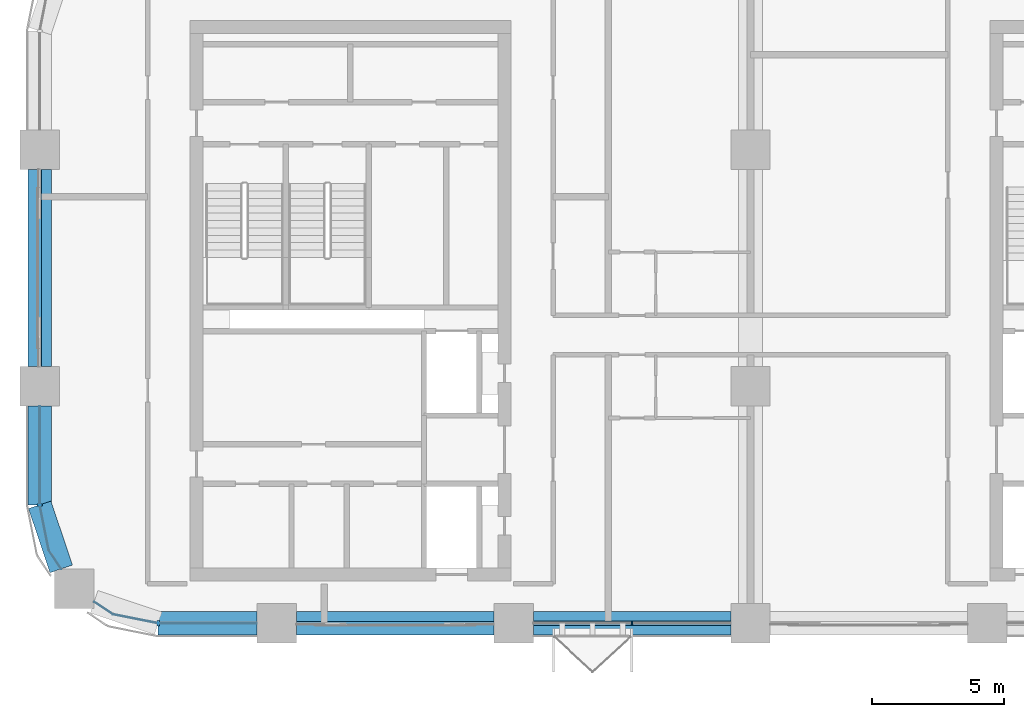
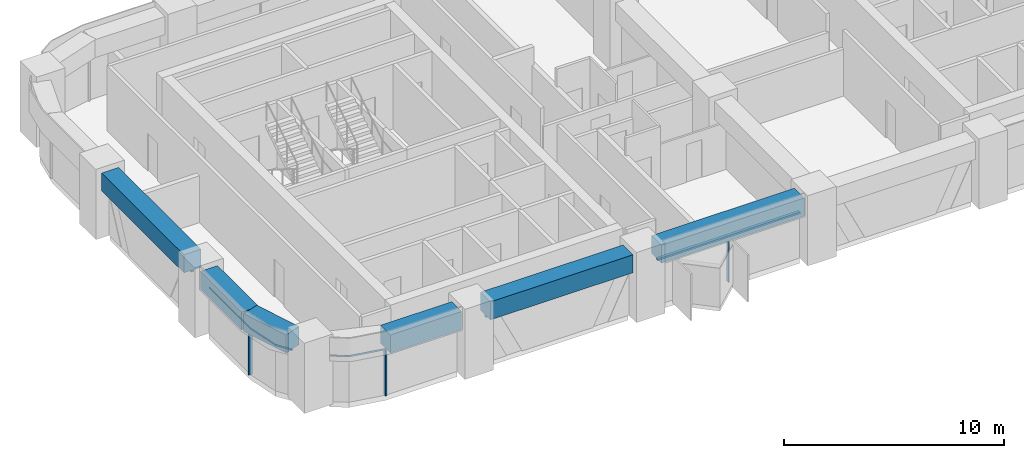
# One storey, part 2 of 13: 8 members, 6 beams, 5 elements without a shape of their own.
"""IFC4 building model written with IfcOpenShell, lengths in metres."""

from ifc_helpers import new_model, si_unit, direction, frame, origin, origin_2d, place, context, subcontext, project, spatial, polyline, rectangle, outline, extrude, material, material_profile, profile_set, type_object, element, aggregate, save


model = new_model("IFC4")

# Units and contexts
model_context = context("Model", 3, precision=1e-05, world=origin(), true_north=direction((0.0, 1.0)))
body_context = subcontext(model_context, "Body", "Model", "MODEL_VIEW")
ifc_project = project(units=[si_unit("LENGTHUNIT", "METRE"), si_unit("AREAUNIT", "SQUARE_METRE"), si_unit("VOLUMEUNIT", "CUBIC_METRE"), si_unit("PLANEANGLEUNIT", "RADIAN"), si_unit("MASSUNIT", "GRAM", prefix="KILO")], contexts=[model_context])

# Site, building, storey
site_placement = place(None, origin())
site = spatial("IfcSite", under=ifc_project, at=site_placement, CompositionType="ELEMENT")
building_placement = place(site_placement, origin())
building = spatial("IfcBuilding", under=site, at=building_placement, Name="Tessera Arch", CompositionType="ELEMENT")
storey_placement = place(building_placement, frame((0.0, 0.0, 162.199951171875)))
storey = spatial("IfcBuildingStorey", under=building, at=storey_placement, Name="L38", CompositionType="ELEMENT", Elevation=162.199951171875)

# Curtain wall, members
ifc_material_1 = material(Name="CW1 curtain wall")
curtain_wall_type_1 = type_object("IfcCurtainWallType", Name="CW1 curtain wall", PredefinedType="NOTDEFINED", material=ifc_material_1)
curtain_wall_1_placement = place(storey_placement, origin())
curtain_wall_1 = element("IfcCurtainWall", 1, at=curtain_wall_1_placement, inside=storey, type_object=curtain_wall_type_1, Name="CW1 curtain wall S27.0/2 L38", PredefinedType="NOTDEFINED")
ifc_material_2 = material(Name="Anodised aluminium pale metal", Category="aluminium")
ifc_material_profile_1 = material_profile(ifc_material_2, rectangle(XDim=0.159912109375, YDim=0.06005859375, at=origin_2d()), Name="AL 60x160")
ifc_profile_set_1 = profile_set([ifc_material_profile_1], Name="Anodised aluminium pale metal")
member_type_1 = type_object("IfcMemberType", Name="CW1 mullion", PredefinedType="MULLION", material=ifc_profile_set_1)
member_1_placement = place(storey_placement, frame((22.5, 27.0, 0.0), z_axis=(0.0, 0.0, 1.0), x_axis=(0.0, 1.0, 0.0)))
member_1 = element("IfcMember", 2, at=member_1_placement, type_object=member_type_1, Name="CW1 mullion S27.0/2 1", PredefinedType="MULLION", context=body_context, shape_type="SweptSolid", body=[
    extrude(rectangle(XDim=0.159912109375, YDim=0.06005859375, at=origin_2d()), origin(), (0.0, 0.0, 1.0), 2.5),
])
ifc_material_3 = material(Name="Anodised aluminium pale metal", Category="aluminium")
ifc_material_profile_2 = material_profile(ifc_material_3, rectangle(XDim=0.159912109375, YDim=0.10009765625, at=origin_2d()), Name="AL 160x100")
ifc_profile_set_2 = profile_set([ifc_material_profile_2], Name="Anodised aluminium pale metal")
member_type_2 = type_object("IfcMemberType", Name="CW1 transom", PredefinedType="USERDEFINED", material=ifc_profile_set_2)
member_2_placement = place(storey_placement, frame((18.75, 27.0, 2.550048828125), z_axis=(1.0, 0.0, 0.0), x_axis=(0.0, 1.0, 0.0)))
member_2 = element("IfcMember", 3, at=member_2_placement, type_object=member_type_2, Name="CW1 transom S27.0/2 1.1", ObjectType="TRANSOM", PredefinedType="USERDEFINED", context=body_context, shape_type="SweptSolid", body=[
    extrude(rectangle(XDim=0.159912109375, YDim=0.10009765625, at=origin_2d()), origin(), (0.0, 0.0, 1.0), 7.5),
])
aggregate(curtain_wall_1, [member_1, member_2])

# Curtain wall, member
ifc_material_4 = material(Name="CW2 curtain wall")
curtain_wall_type_2 = type_object("IfcCurtainWallType", Name="CW2 curtain wall", PredefinedType="NOTDEFINED", material=ifc_material_4)
curtain_wall_2_placement = place(storey_placement, origin())
curtain_wall_2 = element("IfcCurtainWall", 4, at=curtain_wall_2_placement, inside=storey, type_object=curtain_wall_type_2, Name="CW2 curtain wall W0.27/2 L38", PredefinedType="NOTDEFINED")
ifc_material_5 = material(Name="Anodised aluminium pale metal", Category="aluminium")
ifc_material_profile_3 = material_profile(ifc_material_5, rectangle(XDim=0.199951171875, YDim=0.080078125, at=origin_2d()), Name="AL 80x200")
ifc_profile_set_3 = profile_set([ifc_material_profile_3], Name="Anodised aluminium pale metal")
member_type_3 = type_object("IfcMemberType", Name="CW2 mullion", PredefinedType="MULLION", material=ifc_profile_set_3)
member_3_placement = place(storey_placement, frame((0.0, 31.5, 0.0), z_axis=(0.0, 0.0, 1.0), x_axis=(1.0, 0.0, 0.0)))
member_3 = element("IfcMember", 5, at=member_3_placement, type_object=member_type_3, Name="CW2 mullion W0.27/2 1", PredefinedType="MULLION", context=body_context, shape_type="SweptSolid", body=[
    extrude(rectangle(XDim=0.199951171875, YDim=0.080078125, at=origin_2d()), origin(), (0.0, 0.0, 1.0), 2.5),
])

curtain_wall_3_placement = place(storey_placement, origin())
curtain_wall_3 = element("IfcCurtainWall", 6, at=curtain_wall_3_placement, inside=storey, type_object=curtain_wall_type_2, Name="CW2 curtain wall S27.0/0 L38", PredefinedType="NOTDEFINED")
member_4_placement = place(storey_placement, frame((4.5, 27.0, 0.0), z_axis=(0.0, 0.0, 1.0), x_axis=(0.0, 1.0, 0.0)))
member_4 = element("IfcMember", 7, at=member_4_placement, type_object=member_type_3, Name="CW2 mullion S27.0/0 1", PredefinedType="MULLION", context=body_context, shape_type="SweptSolid", body=[
    extrude(rectangle(XDim=0.199951171875, YDim=0.080078125, at=origin_2d()), origin(), (0.0, 0.0, 1.0), 2.5),
])

# Member
ifc_material_6 = material(Name="Anodised aluminium pale metal", Category="aluminium")
ifc_material_profile_4 = material_profile(ifc_material_6, rectangle(XDim=0.199951171875, YDim=0.10009765625, at=origin_2d()), Name="AL 200x100")
ifc_profile_set_4 = profile_set([ifc_material_profile_4], Name="Anodised aluminium pale metal")
member_type_4 = type_object("IfcMemberType", Name="CW2 transom", PredefinedType="USERDEFINED", material=ifc_profile_set_4)
member_5_placement = place(storey_placement, frame((0.0, 0.0, 2.5)))
member_5 = element("IfcMember", 8, at=member_5_placement, type_object=member_type_4, Name="CW2 transom W0.27/2 1", ObjectType="TRANSOM", PredefinedType="USERDEFINED", context=body_context, shape_type="SweptSolid", body=[
    extrude(outline(polyline([(0.010009765625, 31.5009765625), (0.010009765625, 35.25), (-0.010009765625, 35.25), (-0.010009765625, 31.4990234375), (0.3330078125, 29.77392578125), (0.80859375, 29.0625), (0.8251953125, 29.073486328125), (0.351806640625, 29.78173828125), (0.010009765625, 31.5009765625)])), origin(), (0.0, 0.0, 1.0), 0.10009765625),
])

aggregate(curtain_wall_2, [member_3, member_5])

member_6_placement = place(storey_placement, frame((0.0, 0.0, 2.5)))
member_6 = element("IfcMember", 9, at=member_6_placement, type_object=member_type_4, Name="CW2 transom S27.0/0 1", ObjectType="TRANSOM", PredefinedType="USERDEFINED", context=body_context, shape_type="SweptSolid", body=[
    extrude(outline(polyline([(2.78173828125, 27.351806640625), (2.073486328125, 27.8251953125), (2.0625, 27.80859375), (2.77392578125, 27.3330078125), (4.4990234375, 26.989990234375), (8.25, 26.989990234375), (8.25, 27.010009765625), (4.5009765625, 27.010009765625), (2.78173828125, 27.351806640625)])), origin(), (0.0, 0.0, 1.0), 0.10009765625),
])

aggregate(curtain_wall_3, [member_4, member_6])

# Curtain wall, member
ifc_material_7 = material(Name="CW3 curtain wall")
curtain_wall_type_3 = type_object("IfcCurtainWallType", Name="CW3 curtain wall", PredefinedType="NOTDEFINED", material=ifc_material_7)
curtain_wall_4_placement = place(storey_placement, origin())
curtain_wall_4 = element("IfcCurtainWall", 10, at=curtain_wall_4_placement, inside=storey, type_object=curtain_wall_type_3, Name="CW3 curtain wall W0.27/1 L38", PredefinedType="NOTDEFINED")
ifc_material_8 = material(Name="Anodised aluminium pale metal", Category="aluminium")
ifc_material_profile_5 = material_profile(ifc_material_8, rectangle(XDim=0.139892578125, YDim=0.10009765625, at=origin_2d()), Name="AL 140x100")
ifc_profile_set_5 = profile_set([ifc_material_profile_5], Name="Anodised aluminium pale metal")
member_type_5 = type_object("IfcMemberType", Name="CW3 transom", PredefinedType="USERDEFINED", material=ifc_profile_set_5)
member_7_placement = place(storey_placement, frame((0.0, 44.25, 2.550048828125), z_axis=(0.0, -1.0, 0.0), x_axis=(1.0, 0.0, 0.0)))
member_7 = element("IfcMember", 11, at=member_7_placement, type_object=member_type_5, Name="CW3 transom W0.27/1 1.1", ObjectType="TRANSOM", PredefinedType="USERDEFINED", context=body_context, shape_type="SweptSolid", body=[
    extrude(rectangle(XDim=0.139892578125, YDim=0.10009765625, at=origin_2d()), origin(), (0.0, 0.0, 1.0), 7.5),
])
aggregate(curtain_wall_4, [member_7])

curtain_wall_5_placement = place(storey_placement, origin())
curtain_wall_5 = element("IfcCurtainWall", 12, at=curtain_wall_5_placement, inside=storey, type_object=curtain_wall_type_3, Name="CW3 curtain wall S27.0/1 L38", PredefinedType="NOTDEFINED")
member_8_placement = place(storey_placement, frame((9.75, 27.0, 2.550048828125), z_axis=(1.0, 0.0, 0.0), x_axis=(0.0, 1.0, 0.0)))
member_8 = element("IfcMember", 13, at=member_8_placement, type_object=member_type_5, Name="CW3 transom S27.0/1 1.1", ObjectType="TRANSOM", PredefinedType="USERDEFINED", context=body_context, shape_type="SweptSolid", body=[
    extrude(rectangle(XDim=0.139892578125, YDim=0.10009765625, at=origin_2d()), origin(), (0.0, 0.0, 1.0), 7.5),
])
aggregate(curtain_wall_5, [member_8])

# Beams
ifc_material_9 = material(Name="Concrete C70/85", Category="concrete")
ifc_material_profile_6 = material_profile(ifc_material_9, rectangle(XDim=0.89990234375, YDim=1.0, at=origin_2d()), Name="RC spandrel beam 900 x 1000 Concrete C70/85")
ifc_profile_set_6 = profile_set([ifc_material_profile_6], Name="Concrete C70/85")
beam_type = type_object("IfcBeamType", Name="RC spandrel beam 900 x 1000 Concrete C70/85", PredefinedType="BEAM", material=ifc_profile_set_6)
beam_1_placement = place(storey_placement, frame((0.0, 44.25, 3.10009765625), z_axis=(0.0, -1.0, 0.0), x_axis=(1.0, 0.0, 0.0)))
element("IfcBeam", 14, at=beam_1_placement, inside=storey, type_object=beam_type, Name="Spandrel beam L38 W0.27/1", PredefinedType="BEAM", context=body_context, shape_type="SweptSolid", body=[
    extrude(rectangle(XDim=0.89990234375, YDim=1.0, at=origin_2d()), origin(), (0.0, 0.0, 1.0), 7.5),
])
beam_2_placement = place(storey_placement, frame((0.0, 35.25, 3.10009765625), z_axis=(0.0, -1.0, 0.0), x_axis=(1.0, 0.0, 0.0)))
element("IfcBeam", 15, at=beam_2_placement, inside=storey, type_object=beam_type, Name="Spandrel beam L38 W0.27/2.1", PredefinedType="BEAM", context=body_context, shape_type="SweptSolid", body=[
    extrude(rectangle(XDim=0.89990234375, YDim=1.0, at=origin_2d()), origin(), (0.0, 0.0, 1.0), 3.75),
])
beam_3_placement = place(storey_placement, frame((0.0, 31.5, 3.10009765625), z_axis=(0.31842525032, -0.947947973234, 0.0), x_axis=(0.947947973234, 0.31842525032, 0.0)))
element("IfcBeam", 16, at=beam_3_placement, inside=storey, type_object=beam_type, Name="Spandrel beam L38 W0.27/2.2", PredefinedType="BEAM", context=body_context, shape_type="SweptSolid", body=[
    extrude(rectangle(XDim=0.89990234375, YDim=1.0, at=origin_2d()), origin(), (0.0, 0.0, 1.0), 2.5654296875),
])
beam_4_placement = place(storey_placement, frame((4.5, 27.0, 3.10009765625), z_axis=(1.0, 0.0, 0.0), x_axis=(0.0, 1.0, 0.0)))
element("IfcBeam", 17, at=beam_4_placement, inside=storey, type_object=beam_type, Name="Spandrel beam L38 S27.0/0.2", PredefinedType="BEAM", context=body_context, shape_type="SweptSolid", body=[
    extrude(rectangle(XDim=0.89990234375, YDim=1.0, at=origin_2d()), origin(), (0.0, 0.0, 1.0), 3.75),
])
for number, where, z_axis, x_axis, name in (
    (18, (9.75, 27.0, 3.10009765625), (1.0, 0.0, 0.0), (0.0, 1.0, 0.0), "Spandrel beam L38 S27.0/1"),
    (19, (18.75, 27.0, 3.10009765625), (1.0, 0.0, 0.0), (0.0, 1.0, 0.0), "Spandrel beam L38 S27.0/2"),
):
    element("IfcBeam", number, at=place(storey_placement, frame(where, z_axis=z_axis, x_axis=x_axis)), inside=storey, type_object=beam_type, Name=name, PredefinedType="BEAM", context=body_context, shape_type="SweptSolid", body=[
        extrude(rectangle(XDim=0.89990234375, YDim=1.0, at=origin_2d()), origin(), (0.0, 0.0, 1.0), 7.5),
    ])

save(model, "model.ifc")
